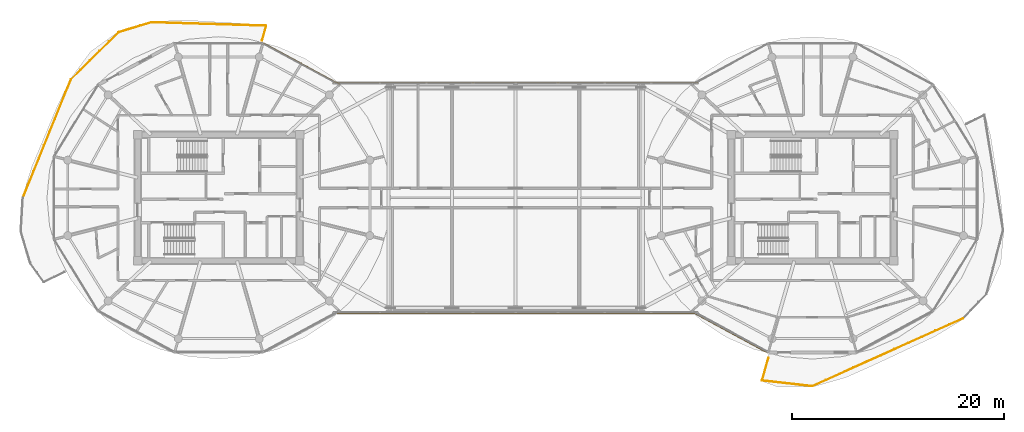
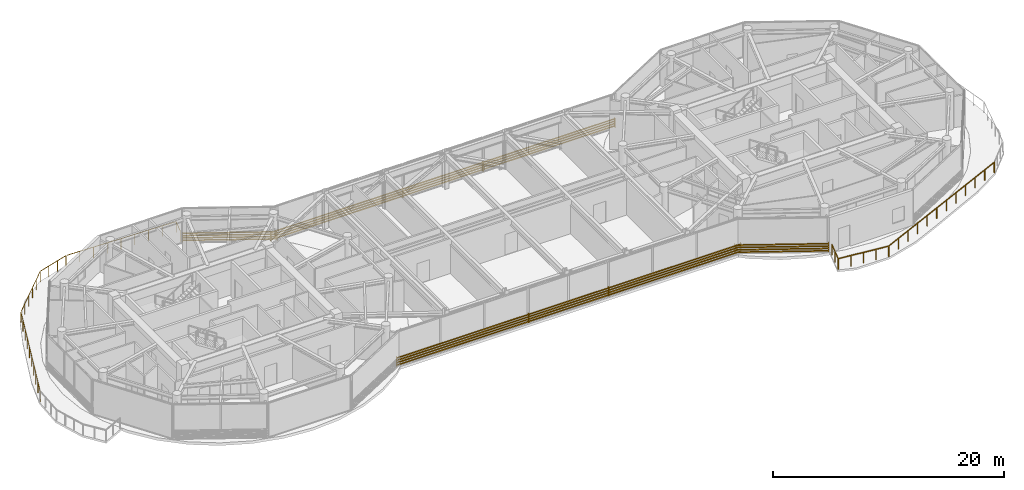
# One storey, part 22 of 24: 8 shading devices, 2 railings.
"""IFC4 building model written with IfcOpenShell, lengths in metres."""

import ifcopenshell
import ifcopenshell.guid

model = None  # the IFC model being written
_history = None  # IfcOwnerHistory: only IFC2X3 demands one
_inside = {}  # id of a spatial element -> (the spatial element, [elements in it])
_under = {}  # id of a project, library or spatial element -> (it, [spatial elements below it])
_declared = {}  # id of a project -> (the project, [libraries it declares])
_typed = {}  # id of a type object -> (the type object, [elements of that type])
_made_of = {}  # id of a material, layer set ... -> (it, [elements and type objects made of it])


def new_model(schema):
    """Start an empty IFC model of exactly this schema.

    Asked for "IFC4X3", IfcOpenShell would pick the latest addendum, in which some entities
    have other attributes; the version numbers below select the first issue.
    IFC2X3 requires an IfcOwnerHistory on every rooted entity: one is made here for all.
    """
    global model, _history
    if schema == "IFC4X3":
        model = ifcopenshell.file(schema_version=(4, 3, 0, 0))
    else:
        model = ifcopenshell.file(schema=schema)
    _inside.clear()
    _under.clear()
    _declared.clear()
    _typed.clear()
    _made_of.clear()
    _history = None
    if model.schema == "IFC2X3":
        org = make("IfcOrganization", Name="unknown")
        user = make(
            "IfcPersonAndOrganization",
            ThePerson=make("IfcPerson", FamilyName="unknown"),
            TheOrganization=org,
        )
        app = make(
            "IfcApplication",
            ApplicationDeveloper=org,
            Version="unknown",
            ApplicationFullName="unknown",
            ApplicationIdentifier="unknown",
        )
        _history = make(
            "IfcOwnerHistory",
            OwningUser=user,
            OwningApplication=app,
            ChangeAction="ADDED",
            CreationDate=0,
        )
    return model


def make(cls, **values):
    """One entity of the class cls with the attributes given. An attribute that is None is left unset."""
    return model.create_entity(
        cls, **{name: value for name, value in values.items() if value is not None}
    )


def rooted(cls, **values):
    """An entity with a GlobalId (a new one), such as an element, a storey or a relation."""
    return make(cls, GlobalId=ifcopenshell.guid.new(), OwnerHistory=_history, **values)


def si_unit(unit_type, name, prefix=None):
    """IfcSIUnit, for example si_unit("LENGTHUNIT", "METRE", prefix="MILLI")."""
    return make("IfcSIUnit", UnitType=unit_type, Prefix=prefix, Name=name)


def assignment(units):
    """IfcUnitAssignment: the units of a project."""
    return None if units is None else make("IfcUnitAssignment", Units=units)


def point(xyz):
    """IfcCartesianPoint."""
    return None if xyz is None else make("IfcCartesianPoint", Coordinates=xyz)


def direction(xyz):
    """IfcDirection."""
    return None if xyz is None else make("IfcDirection", DirectionRatios=xyz)


def frame(location, z_axis=None, x_axis=None):
    """IfcAxis2Placement3D, a coordinate frame: its origin and axes. An axis left out is left unset."""
    return make(
        "IfcAxis2Placement3D",
        Location=point(location),
        Axis=direction(z_axis),
        RefDirection=direction(x_axis),
    )


def frame_2d(location, x_axis=None):
    """IfcAxis2Placement2D, a coordinate frame in the plane: its origin and x axis."""
    return make(
        "IfcAxis2Placement2D", Location=point(location), RefDirection=direction(x_axis)
    )


def origin():
    """The frame at (0, 0, 0) with its axes left unset."""
    return frame((0.0, 0.0, 0.0))


def origin_2d():
    """The frame at (0, 0) in the plane with its x axis left unset."""
    return frame_2d((0.0, 0.0))


def place(relative_to, where):
    """IfcLocalPlacement: puts the frame where relative to a parent placement (None: the world)."""
    return make(
        "IfcLocalPlacement", PlacementRelTo=relative_to, RelativePlacement=where
    )


def context(
    kind, dimensions, precision=None, world=None, true_north=None, identifier=None
):
    """IfcGeometricRepresentationContext, for example the 3D "Model" context."""
    return make(
        "IfcGeometricRepresentationContext",
        ContextIdentifier=identifier,
        ContextType=kind,
        CoordinateSpaceDimension=dimensions,
        Precision=precision,
        WorldCoordinateSystem=world,
        TrueNorth=true_north,
    )


def subcontext(parent, identifier, kind, view, scale=None):
    """IfcGeometricRepresentationSubContext, for example "Body" below "Model"."""
    return make(
        "IfcGeometricRepresentationSubContext",
        ContextIdentifier=identifier,
        ContextType=kind,
        ParentContext=parent,
        TargetScale=scale,
        TargetView=view,
    )


def project(units=None, contexts=None):
    """IfcProject with its units and contexts."""
    return rooted(
        "IfcProject",
        Name="project",
        RepresentationContexts=contexts,
        UnitsInContext=assignment(units),
    )


def spatial(cls, under=None, at=None, **own):
    """A site, building, storey or space (cls), placed at a placement, below another one or the project."""
    s = rooted(cls, ObjectPlacement=at, **own)
    if under is not None:
        _under.setdefault(under.id(), (under, []))[1].append(s)
    return s


def profile(cls, at=None, kind="AREA", **sizes):
    """A parametric profile (cls). Its sizes go by their IFC names, for example OverallWidth=200.0."""
    return make(cls, ProfileType=kind, Position=at, **sizes)


def rectangle(**sizes):
    """IfcRectangleProfileDef."""
    return profile("IfcRectangleProfileDef", **sizes)


def extrude(swept, where, along, depth):
    """IfcExtrudedAreaSolid: the profile swept, set in the frame where, extruded along a direction by depth."""
    return make(
        "IfcExtrudedAreaSolid",
        SweptArea=swept,
        Position=where,
        ExtrudedDirection=direction(along),
        Depth=depth,
    )


def shape(context_of_items, identifier, shape_type, items):
    """IfcShapeRepresentation: the items that make up one representation, for example the "Body"."""
    return make(
        "IfcShapeRepresentation",
        ContextOfItems=context_of_items,
        RepresentationIdentifier=identifier,
        RepresentationType=shape_type,
        Items=items,
    )


def source(mapping_origin, context_of_items, identifier, shape_type, items):
    """IfcRepresentationMap: a shape defined once, which mapped items show again and again."""
    return make(
        "IfcRepresentationMap",
        MappingOrigin=mapping_origin,
        MappedRepresentation=shape(context_of_items, identifier, shape_type, items),
    )


def transform(
    local_origin,
    x_axis=None,
    y_axis=None,
    z_axis=None,
    scale=None,
    scale2=None,
    scale3=None,
    uniform=True,
):
    """IfcCartesianTransformationOperator3D, or its non-uniform kind. x_axis, y_axis, z_axis: its Axis1, 2, 3."""
    if uniform:
        return make(
            "IfcCartesianTransformationOperator3D",
            Axis1=direction(x_axis),
            Axis2=direction(y_axis),
            LocalOrigin=point(local_origin),
            Scale=scale,
            Axis3=direction(z_axis),
        )
    return make(
        "IfcCartesianTransformationOperator3DnonUniform",
        Axis1=direction(x_axis),
        Axis2=direction(y_axis),
        LocalOrigin=point(local_origin),
        Scale=scale,
        Axis3=direction(z_axis),
        Scale2=scale2,
        Scale3=scale3,
    )


def mapped(mapping_source, mapping_target):
    """IfcMappedItem: shows the shape of a source again, moved by a transform."""
    return make(
        "IfcMappedItem", MappingSource=mapping_source, MappingTarget=mapping_target
    )


def material(Name=None, Category=None):
    """IfcMaterial."""
    return make("IfcMaterial", Name=Name, Category=Category)


def made_of(thing, what):
    """Note that an element or type object is made of a material, layer set ...; save() writes the relation."""
    if what is not None:
        _made_of.setdefault(what.id(), (what, []))[1].append(thing)
    return thing


def type_object(cls, material=None, **own):
    """A type object (cls), such as IfcWallType, which elements share."""
    return made_of(rooted(cls, **own), material)


def type_shapes(of_type, sources):
    """Give a type object the sources (RepresentationMaps) that its elements show as mapped items."""
    of_type.RepresentationMaps = sources


def element(
    cls,
    number,
    at=None,
    inside=None,
    cuts=None,
    type_object=None,
    material=None,
    context=None,
    identifier="Body",
    shape_type=None,
    held_by="IfcProductDefinitionShape",
    body=None,
    shapes=None,
    **own,
):
    """One element of the class cls, such as IfcWall. Its Tag is "e" and its number.

    at: its placement. inside: the storey or other place that contains it. cuts: it is an
    opening in that element (IfcRelVoidsElement). A single representation is given by context,
    identifier, shape_type and body (its items); several are given by shapes. held_by: the class
    of the entity that holds the representations. save() writes the other relations.
    """
    e = rooted(cls, Tag="e%d" % number, ObjectPlacement=at, **own)
    if body is not None:
        shapes = [shape(context, identifier, shape_type, body)]
    if shapes is not None:
        e.Representation = make(held_by, Representations=shapes)
    if inside is not None:
        _inside.setdefault(inside.id(), (inside, []))[1].append(e)
    if cuts is not None:
        rooted(
            "IfcRelVoidsElement", RelatingBuildingElement=cuts, RelatedOpeningElement=e
        )
    if type_object is not None:
        _typed.setdefault(type_object.id(), (type_object, []))[1].append(e)
    return made_of(e, material)


def aggregate(whole, parts):
    """IfcRelAggregates: a whole, such as a stair, and the parts it consists of."""
    return rooted("IfcRelAggregates", RelatingObject=whole, RelatedObjects=parts)


def save(model, path):
    """Write the relations noted so far, then the file.

    IfcRelAggregates (storeys below a building ...), IfcRelContainedInSpatialStructure (elements
    in a storey), IfcRelDefinesByType, IfcRelAssociatesMaterial and IfcRelDeclares: one each for
    every whole, place, type object, material and project.
    """
    for whole, parts in _under.values():
        aggregate(whole, parts)
    for where, things in _inside.values():
        rooted(
            "IfcRelContainedInSpatialStructure",
            RelatedElements=things,
            RelatingStructure=where,
        )
    for kind, things in _typed.values():
        rooted("IfcRelDefinesByType", RelatedObjects=things, RelatingType=kind)
    for what, things in _made_of.values():
        rooted("IfcRelAssociatesMaterial", RelatedObjects=things, RelatingMaterial=what)
    for by, libraries in _declared.values():
        rooted("IfcRelDeclares", RelatingContext=by, RelatedDefinitions=libraries)
    model.write(path)


model = new_model("IFC4")

# Units and contexts
model_context = context("Model", 3, precision=1e-05, world=origin(), true_north=direction((0.0, 1.0)))
body_context = subcontext(model_context, "Body", "Model", "MODEL_VIEW")
ifc_project = project(units=[si_unit("LENGTHUNIT", "METRE"), si_unit("AREAUNIT", "SQUARE_METRE"), si_unit("VOLUMEUNIT", "CUBIC_METRE"), si_unit("PLANEANGLEUNIT", "RADIAN"), si_unit("MASSUNIT", "GRAM", prefix="KILO")], contexts=[model_context])

# Site, building, storey
site_placement = place(None, origin())
site = spatial("IfcSite", under=ifc_project, at=site_placement, CompositionType="ELEMENT")
building_placement = place(site_placement, origin())
building = spatial("IfcBuilding", under=site, at=building_placement, Name="Norrkilde Senior Care Towers", CompositionType="ELEMENT")
storey_placement = place(building_placement, frame((0.0, 0.0, 203.800048828125)))
storey = spatial("IfcBuildingStorey", under=building, at=storey_placement, Name="L63", CompositionType="ELEMENT", Elevation=203.800048828125)

# Railings
ifc_material_1 = material(Name="Anodised Aluminium", Category="aluminium")
railing_type = type_object("IfcRailingType", Name="Balcony Swirl Ribbon Guardrail 1150", PredefinedType="GUARDRAIL", material=ifc_material_1)
railing_1_placement = place(storey_placement, frame((42.214599609375, -11.36669921875, 0.0)))
element("IfcRailing", 1, at=railing_1_placement, inside=storey, type_object=railing_type, Name="L63 Perimeter Safety Guard 01", PredefinedType="GUARDRAIL", context=body_context, shape_type="SweptSolid", body=[
    extrude(rectangle(XDim=0.048095703125, YDim=0.048095703125, at=origin_2d()), frame((0.0, 0.0, 1.1259765625), z_axis=(-0.912036275729, -0.410109536287, 0.0), x_axis=(0.410109536287, -0.912036275729, 0.0)), (0.0, 0.0, 1.0), 15.556640625),
    extrude(rectangle(XDim=0.048095703125, YDim=0.048095703125, at=origin_2d()), frame((-14.26611328125, -6.39208984375, 1.1259765625), z_axis=(-0.99376899535, 0.111459337343, 0.0), x_axis=(-0.111459337343, -0.99376899535, 0.0)), (0.0, 0.0, 1.0), 4.68896484375),
    extrude(rectangle(XDim=0.048095703125, YDim=0.048095703125, at=origin_2d()), frame((-18.95556640625, -5.82568359375, 1.1259765625), z_axis=(0.270145212667, 0.962819590616, 0.0), x_axis=(-0.962819590616, 0.270145212667, 0.0)), (0.0, 0.0, 1.0), 2.17333984375),
    extrude(rectangle(XDim=0.0419921875, YDim=0.0419921875, at=origin_2d()), origin(), (0.0, 0.0, 1.0), 1.099853515625),
    extrude(rectangle(XDim=0.0419921875, YDim=0.0419921875, at=origin_2d()), frame((-1.293212890625, -0.58154296875, 0.0)), (0.0, 0.0, 1.0), 1.099853515625),
    extrude(rectangle(XDim=0.0419921875, YDim=0.0419921875, at=origin_2d()), frame((-2.58642578125, -1.1630859375, 0.0)), (0.0, 0.0, 1.0), 1.099853515625),
    extrude(rectangle(XDim=0.0419921875, YDim=0.0419921875, at=origin_2d()), frame((-3.879638671875, -1.74462890625, 0.0)), (0.0, 0.0, 1.0), 1.099853515625),
    extrude(rectangle(XDim=0.0419921875, YDim=0.0419921875, at=origin_2d()), frame((-5.1728515625, -2.326171875, 0.0)), (0.0, 0.0, 1.0), 1.099853515625),
    extrude(rectangle(XDim=0.0419921875, YDim=0.0419921875, at=origin_2d()), frame((-6.466064453125, -2.90771484375, 0.0)), (0.0, 0.0, 1.0), 1.099853515625),
    extrude(rectangle(XDim=0.0419921875, YDim=0.0419921875, at=origin_2d()), frame((-7.759521484375, -3.489013671875, 0.0)), (0.0, 0.0, 1.0), 1.099853515625),
    extrude(rectangle(XDim=0.0419921875, YDim=0.0419921875, at=origin_2d()), frame((-9.052734375, -4.070556640625, 0.0)), (0.0, 0.0, 1.0), 1.099853515625),
    extrude(rectangle(XDim=0.0419921875, YDim=0.0419921875, at=origin_2d()), frame((-10.345947265625, -4.652099609375, 0.0)), (0.0, 0.0, 1.0), 1.099853515625),
    extrude(rectangle(XDim=0.0419921875, YDim=0.0419921875, at=origin_2d()), frame((-11.63916015625, -5.233642578125, 0.0)), (0.0, 0.0, 1.0), 1.099853515625),
    extrude(rectangle(XDim=0.0419921875, YDim=0.0419921875, at=origin_2d()), frame((-12.932373046875, -5.815185546875, 0.0)), (0.0, 0.0, 1.0), 1.099853515625),
    extrude(rectangle(XDim=0.0419921875, YDim=0.0419921875, at=origin_2d()), frame((-14.2255859375, -6.396728515625, 0.0)), (0.0, 0.0, 1.0), 1.099853515625),
    extrude(rectangle(XDim=0.0419921875, YDim=0.0419921875, at=origin_2d()), frame((-15.410888671875, -6.263671875, 0.0)), (0.0, 0.0, 1.0), 1.099853515625),
    extrude(rectangle(XDim=0.0419921875, YDim=0.0419921875, at=origin_2d()), frame((-16.59619140625, -6.130859375, 0.0)), (0.0, 0.0, 1.0), 1.099853515625),
    extrude(rectangle(XDim=0.0419921875, YDim=0.0419921875, at=origin_2d()), frame((-17.78125, -5.998046875, 0.0)), (0.0, 0.0, 1.0), 1.099853515625),
    extrude(rectangle(XDim=0.0419921875, YDim=0.0419921875, at=origin_2d()), frame((-18.966552734375, -5.864990234375, 0.0)), (0.0, 0.0, 1.0), 1.099853515625),
    extrude(rectangle(XDim=0.0419921875, YDim=0.0419921875, at=origin_2d()), frame((-18.66748046875, -4.799072265625, 0.0)), (0.0, 0.0, 1.0), 1.099853515625),
    extrude(rectangle(XDim=0.0419921875, YDim=0.0419921875, at=origin_2d()), frame((-18.368408203125, -3.733154296875, 0.0)), (0.0, 0.0, 1.0), 1.099853515625),
])
railing_2_placement = place(storey_placement, frame((-46.485107421875, -0.014404296875, 0.0)))
element("IfcRailing", 2, at=railing_2_placement, inside=storey, type_object=railing_type, Name="L63 Perimeter Safety Guard 03", PredefinedType="GUARDRAIL", context=body_context, shape_type="SweptSolid", body=[
    extrude(rectangle(XDim=0.048095703125, YDim=0.048095703125, at=origin_2d()), frame((0.0, 0.0, 1.1259765625), z_axis=(0.376304855079, 0.926495901796, 0.0), x_axis=(-0.926495901796, 0.376304855079, 0.0)), (0.0, 0.0, 1.0), 12.02392578125),
    extrude(rectangle(XDim=0.048095703125, YDim=0.048095703125, at=origin_2d()), frame((4.569091796875, 11.206787109375, 1.1259765625), z_axis=(0.71067728032, 0.70351816127, 0.0), x_axis=(-0.70351816127, 0.71067728032, 0.0)), (0.0, 0.0, 1.0), 6.26123046875),
    extrude(rectangle(XDim=0.048095703125, YDim=0.048095703125, at=origin_2d()), frame((9.0869140625, 15.652099609375, 1.1259765625), z_axis=(0.957708095712, 0.287741556624, 0.0), x_axis=(-0.287741556624, 0.957708095712, 0.0)), (0.0, 0.0, 1.0), 3.1611328125),
    extrude(rectangle(XDim=0.048095703125, YDim=0.048095703125, at=origin_2d()), frame((12.1943359375, 16.572265625, 1.1259765625), z_axis=(0.999551379319, -0.029950627731, 0.0), x_axis=(0.029950627731, 0.999551379319, 0.0)), (0.0, 0.0, 1.0), 10.72705078125),
    extrude(rectangle(XDim=0.048095703125, YDim=0.048095703125, at=origin_2d()), frame((22.946533203125, 16.21044921875, 1.1259765625), z_axis=(-0.270147103252, -0.962819060159, 0.0), x_axis=(0.962819060159, -0.270147103252, 0.0)), (0.0, 0.0, 1.0), 1.412353515625),
    extrude(rectangle(XDim=0.0419921875, YDim=0.0419921875, at=origin_2d()), origin(), (0.0, 0.0, 1.0), 1.099853515625),
    extrude(rectangle(XDim=0.0419921875, YDim=0.0419921875, at=origin_2d()), frame((0.50439453125, 1.241943359375, 0.0)), (0.0, 0.0, 1.0), 1.099853515625),
    extrude(rectangle(XDim=0.0419921875, YDim=0.0419921875, at=origin_2d()), frame((1.0087890625, 2.48388671875, 0.0)), (0.0, 0.0, 1.0), 1.099853515625),
    extrude(rectangle(XDim=0.0419921875, YDim=0.0419921875, at=origin_2d()), frame((1.513427734375, 3.72607421875, 0.0)), (0.0, 0.0, 1.0), 1.099853515625),
    extrude(rectangle(XDim=0.0419921875, YDim=0.0419921875, at=origin_2d()), frame((2.017822265625, 4.968017578125, 0.0)), (0.0, 0.0, 1.0), 1.099853515625),
    extrude(rectangle(XDim=0.0419921875, YDim=0.0419921875, at=origin_2d()), frame((2.522216796875, 6.2099609375, 0.0)), (0.0, 0.0, 1.0), 1.099853515625),
    extrude(rectangle(XDim=0.0419921875, YDim=0.0419921875, at=origin_2d()), frame((3.026611328125, 7.451904296875, 0.0)), (0.0, 0.0, 1.0), 1.099853515625),
    extrude(rectangle(XDim=0.0419921875, YDim=0.0419921875, at=origin_2d()), frame((3.53125, 8.694091796875, 0.0)), (0.0, 0.0, 1.0), 1.099853515625),
    extrude(rectangle(XDim=0.0419921875, YDim=0.0419921875, at=origin_2d()), frame((4.03564453125, 9.93603515625, 0.0)), (0.0, 0.0, 1.0), 1.099853515625),
    extrude(rectangle(XDim=0.0419921875, YDim=0.0419921875, at=origin_2d()), frame((4.5400390625, 11.177978515625, 0.0)), (0.0, 0.0, 1.0), 1.099853515625),
    extrude(rectangle(XDim=0.0419921875, YDim=0.0419921875, at=origin_2d()), frame((5.441650390625, 12.070556640625, 0.0)), (0.0, 0.0, 1.0), 1.099853515625),
    extrude(rectangle(XDim=0.0419921875, YDim=0.0419921875, at=origin_2d()), frame((6.34326171875, 12.962890625, 0.0)), (0.0, 0.0, 1.0), 1.099853515625),
    extrude(rectangle(XDim=0.0419921875, YDim=0.0419921875, at=origin_2d()), frame((7.24462890625, 13.85546875, 0.0)), (0.0, 0.0, 1.0), 1.099853515625),
    extrude(rectangle(XDim=0.0419921875, YDim=0.0419921875, at=origin_2d()), frame((8.146240234375, 14.747802734375, 0.0)), (0.0, 0.0, 1.0), 1.099853515625),
    extrude(rectangle(XDim=0.0419921875, YDim=0.0419921875, at=origin_2d()), frame((9.0478515625, 15.640380859375, 0.0)), (0.0, 0.0, 1.0), 1.099853515625),
    extrude(rectangle(XDim=0.0419921875, YDim=0.0419921875, at=origin_2d()), frame((10.0830078125, 15.951416015625, 0.0)), (0.0, 0.0, 1.0), 1.099853515625),
    extrude(rectangle(XDim=0.0419921875, YDim=0.0419921875, at=origin_2d()), frame((11.118408203125, 16.262451171875, 0.0)), (0.0, 0.0, 1.0), 1.099853515625),
    extrude(rectangle(XDim=0.0419921875, YDim=0.0419921875, at=origin_2d()), frame((12.153564453125, 16.573486328125, 0.0)), (0.0, 0.0, 1.0), 1.099853515625),
    extrude(rectangle(XDim=0.0419921875, YDim=0.0419921875, at=origin_2d()), frame((13.504150390625, 16.532958984375, 0.0)), (0.0, 0.0, 1.0), 1.099853515625),
    extrude(rectangle(XDim=0.0419921875, YDim=0.0419921875, at=origin_2d()), frame((14.8544921875, 16.49267578125, 0.0)), (0.0, 0.0, 1.0), 1.099853515625),
    extrude(rectangle(XDim=0.0419921875, YDim=0.0419921875, at=origin_2d()), frame((16.205078125, 16.4521484375, 0.0)), (0.0, 0.0, 1.0), 1.099853515625),
    extrude(rectangle(XDim=0.0419921875, YDim=0.0419921875, at=origin_2d()), frame((17.5556640625, 16.41162109375, 0.0)), (0.0, 0.0, 1.0), 1.099853515625),
    extrude(rectangle(XDim=0.0419921875, YDim=0.0419921875, at=origin_2d()), frame((18.906005859375, 16.37109375, 0.0)), (0.0, 0.0, 1.0), 1.099853515625),
    extrude(rectangle(XDim=0.0419921875, YDim=0.0419921875, at=origin_2d()), frame((20.256591796875, 16.33056640625, 0.0)), (0.0, 0.0, 1.0), 1.099853515625),
    extrude(rectangle(XDim=0.0419921875, YDim=0.0419921875, at=origin_2d()), frame((21.60693359375, 16.290283203125, 0.0)), (0.0, 0.0, 1.0), 1.099853515625),
    extrude(rectangle(XDim=0.0419921875, YDim=0.0419921875, at=origin_2d()), frame((22.95751953125, 16.249755859375, 0.0)), (0.0, 0.0, 1.0), 1.099853515625),
    extrude(rectangle(XDim=0.0419921875, YDim=0.0419921875, at=origin_2d()), frame((22.56494140625, 14.8505859375, 0.0)), (0.0, 0.0, 1.0), 1.099853515625),
])

# Shading devices
ifc_material_2 = material(Name="Architectural Terracotta", Category="masonry")
shading_device_type = type_object("IfcShadingDeviceType", Name="Horizontal Terracotta Baguette Rack", PredefinedType="USERDEFINED", material=ifc_material_2)
shared_shape_1 = source(origin(), body_context, "Body", "SweptSolid", [
    extrude(rectangle(XDim=0.070068359375, YDim=0.110107421875, at=origin_2d()), frame((0.0, 0.090087890625, 0.125), z_axis=(1.0, 0.0, 0.0), x_axis=(0.0, 1.0, 0.0)), (0.0, 0.0, 1.0), 8.197265625),
    extrude(rectangle(XDim=0.070068359375, YDim=0.110107421875, at=origin_2d()), frame((0.0, 0.090087890625, 0.375), z_axis=(1.0, 0.0, 0.0), x_axis=(0.0, 1.0, 0.0)), (0.0, 0.0, 1.0), 8.197265625),
    extrude(rectangle(XDim=0.070068359375, YDim=0.110107421875, at=origin_2d()), frame((0.0, 0.090087890625, 0.625), z_axis=(1.0, 0.0, 0.0), x_axis=(0.0, 1.0, 0.0)), (0.0, 0.0, 1.0), 8.197265625),
    extrude(rectangle(XDim=0.070068359375, YDim=0.110107421875, at=origin_2d()), frame((0.0, 0.090087890625, 0.875), z_axis=(1.0, 0.0, 0.0), x_axis=(0.0, 1.0, 0.0)), (0.0, 0.0, 1.0), 8.197265625),
    extrude(rectangle(XDim=0.050048828125, YDim=0.1552734375, at=origin_2d()), frame((0.02490234375, 0.047607421875, 0.0)), (0.0, 0.0, 1.0), 1.0),
    extrude(rectangle(XDim=0.050048828125, YDim=0.1552734375, at=origin_2d()), frame((8.17236328125, 0.047607421875, 0.0)), (0.0, 0.0, 1.0), 1.0),
])
for number, where, z_axis, x_axis, name in (
    (3, (-23.838134765625, 14.566162109375, 0.079833984375), (0.0, 0.0, 1.0), (0.879378127234, -0.476143674053, 0.0), "L63 Drum W Terracotta Baguette Screen 01"),
    (4, (23.838134765625, -14.566162109375, 0.079833984375), (0.0, 0.0, 1.0), (-0.879378127234, 0.476143674053, 0.0), "L63 Drum E Terracotta Baguette Screen 07"),
):
    element("IfcShadingDevice", number, at=place(storey_placement, frame(where, z_axis=z_axis, x_axis=x_axis)), inside=storey, type_object=shading_device_type, Name=name, ObjectType="BAGUETTE", PredefinedType="USERDEFINED", context=body_context, shape_type="MappedRepresentation", body=[
        mapped(shared_shape_1, transform((0.0, 0.0, 0.0), x_axis=(1.0, 0.0, 0.0), y_axis=(0.0, 1.0, 0.0), z_axis=(0.0, 0.0, 1.0), scale=1.0)),
    ])
shared_shape_2 = source(origin(), body_context, "Body", "SweptSolid", [
    extrude(rectangle(XDim=0.070068359375, YDim=0.110107421875, at=origin_2d()), frame((0.0, 0.090087890625, 0.125), z_axis=(1.0, 0.0, 0.0), x_axis=(0.0, 1.0, 0.0)), (0.0, 0.0, 1.0), 13.199951171875),
    extrude(rectangle(XDim=0.070068359375, YDim=0.110107421875, at=origin_2d()), frame((0.0, 0.090087890625, 0.375), z_axis=(1.0, 0.0, 0.0), x_axis=(0.0, 1.0, 0.0)), (0.0, 0.0, 1.0), 13.199951171875),
    extrude(rectangle(XDim=0.070068359375, YDim=0.110107421875, at=origin_2d()), frame((0.0, 0.090087890625, 0.625), z_axis=(1.0, 0.0, 0.0), x_axis=(0.0, 1.0, 0.0)), (0.0, 0.0, 1.0), 13.199951171875),
    extrude(rectangle(XDim=0.070068359375, YDim=0.110107421875, at=origin_2d()), frame((0.0, 0.090087890625, 0.875), z_axis=(1.0, 0.0, 0.0), x_axis=(0.0, 1.0, 0.0)), (0.0, 0.0, 1.0), 13.199951171875),
    extrude(rectangle(XDim=0.050048828125, YDim=0.1552734375, at=origin_2d()), frame((0.02490234375, 0.047607421875, 0.0)), (0.0, 0.0, 1.0), 1.0),
    extrude(rectangle(XDim=0.050048828125, YDim=0.1552734375, at=origin_2d()), frame((13.1748046875, 0.047607421875, 0.0)), (0.0, 0.0, 1.0), 1.0),
])
for number, where, z_axis, x_axis, name in (
    (5, (-17.199951171875, 10.820068359375, 0.079833984375), (0.0, 0.0, 1.0), (1.0, 0.0, 0.0), "L63 Bridge North Baguette Screen 1"),
    (6, (4.0, 10.820068359375, 0.079833984375), (0.0, 0.0, 1.0), (1.0, 0.0, 0.0), "L63 Bridge North Baguette Screen 3"),
    (7, (17.199951171875, -10.820068359375, 0.079833984375), (0.0, 0.0, 1.0), (-1.0, 0.0, 0.0), "L63 Bridge South Baguette Screen 1"),
    (8, (-4.0, -10.820068359375, 0.079833984375), (0.0, 0.0, 1.0), (-1.0, 0.0, 0.0), "L63 Bridge South Baguette Screen 3"),
):
    element("IfcShadingDevice", number, at=place(storey_placement, frame(where, z_axis=z_axis, x_axis=x_axis)), inside=storey, type_object=shading_device_type, Name=name, ObjectType="BAGUETTE", PredefinedType="USERDEFINED", context=body_context, shape_type="MappedRepresentation", body=[
        mapped(shared_shape_2, transform((0.0, 0.0, 0.0), x_axis=(1.0, 0.0, 0.0), y_axis=(0.0, 1.0, 0.0), z_axis=(0.0, 0.0, 1.0), scale=1.0)),
    ])
shared_shape_3 = source(origin(), body_context, "Body", "SweptSolid", [
    extrude(rectangle(XDim=0.070068359375, YDim=0.110107421875, at=origin_2d()), frame((0.0, 0.090087890625, 0.125), z_axis=(1.0, 0.0, 0.0), x_axis=(0.0, 1.0, 0.0)), (0.0, 0.0, 1.0), 8.0),
    extrude(rectangle(XDim=0.070068359375, YDim=0.110107421875, at=origin_2d()), frame((0.0, 0.090087890625, 0.375), z_axis=(1.0, 0.0, 0.0), x_axis=(0.0, 1.0, 0.0)), (0.0, 0.0, 1.0), 8.0),
    extrude(rectangle(XDim=0.070068359375, YDim=0.110107421875, at=origin_2d()), frame((0.0, 0.090087890625, 0.625), z_axis=(1.0, 0.0, 0.0), x_axis=(0.0, 1.0, 0.0)), (0.0, 0.0, 1.0), 8.0),
    extrude(rectangle(XDim=0.070068359375, YDim=0.110107421875, at=origin_2d()), frame((0.0, 0.090087890625, 0.875), z_axis=(1.0, 0.0, 0.0), x_axis=(0.0, 1.0, 0.0)), (0.0, 0.0, 1.0), 8.0),
    extrude(rectangle(XDim=0.050048828125, YDim=0.1552734375, at=origin_2d()), frame((0.02490234375, 0.047607421875, 0.0)), (0.0, 0.0, 1.0), 1.0),
    extrude(rectangle(XDim=0.050048828125, YDim=0.1552734375, at=origin_2d()), frame((7.97509765625, 0.047607421875, 0.0)), (0.0, 0.0, 1.0), 1.0),
])
type_shapes(shading_device_type, [shared_shape_1, shared_shape_2, shared_shape_3])
for number, where, z_axis, x_axis, name in (
    (9, (-4.0, 10.820068359375, 0.079833984375), (0.0, 0.0, 1.0), (1.0, 0.0, 0.0), "L63 Bridge North Baguette Screen 2"),
    (10, (4.0, -10.820068359375, 0.079833984375), (0.0, 0.0, 1.0), (-1.0, 0.0, 0.0), "L63 Bridge South Baguette Screen 2"),
):
    element("IfcShadingDevice", number, at=place(storey_placement, frame(where, z_axis=z_axis, x_axis=x_axis)), inside=storey, type_object=shading_device_type, Name=name, ObjectType="BAGUETTE", PredefinedType="USERDEFINED", context=body_context, shape_type="MappedRepresentation", body=[
        mapped(shared_shape_3, transform((0.0, 0.0, 0.0), x_axis=(1.0, 0.0, 0.0), y_axis=(0.0, 1.0, 0.0), z_axis=(0.0, 0.0, 1.0), scale=1.0)),
    ])

save(model, "model.ifc")
